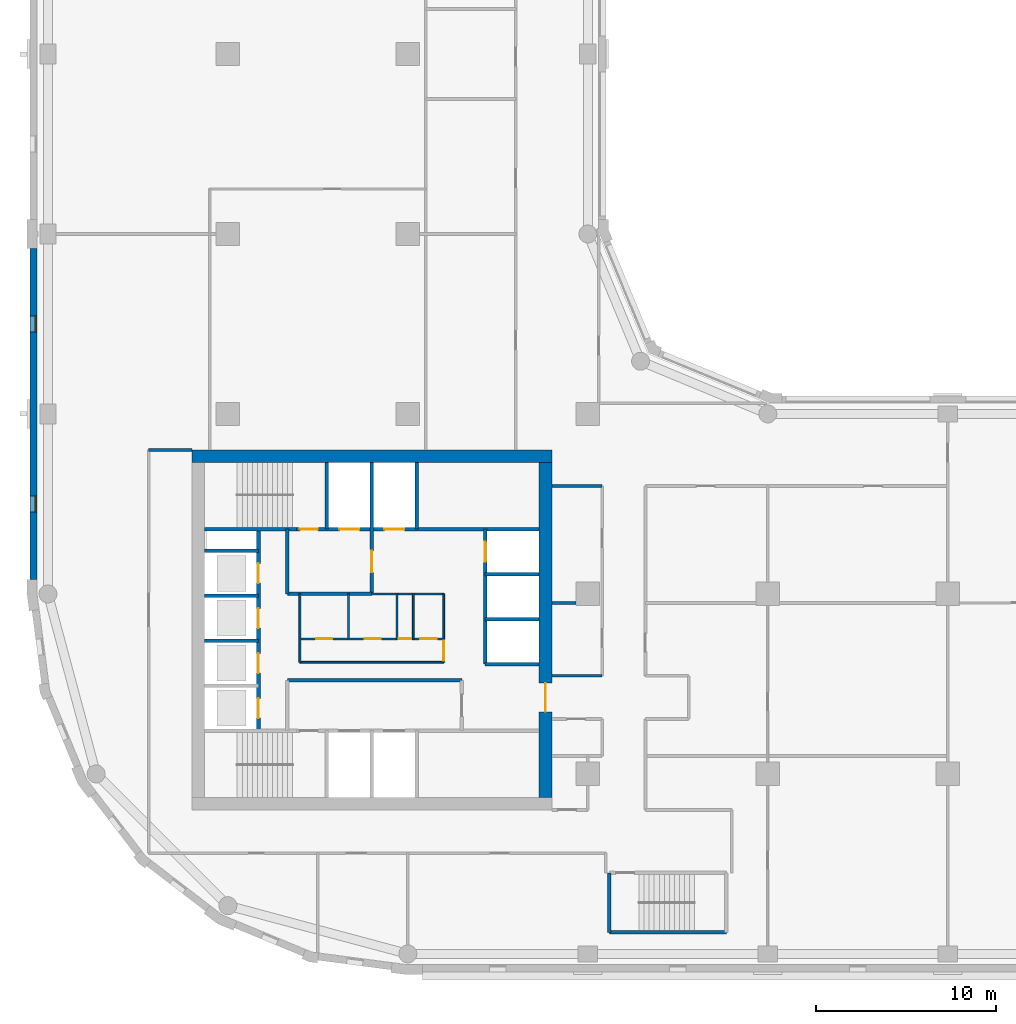
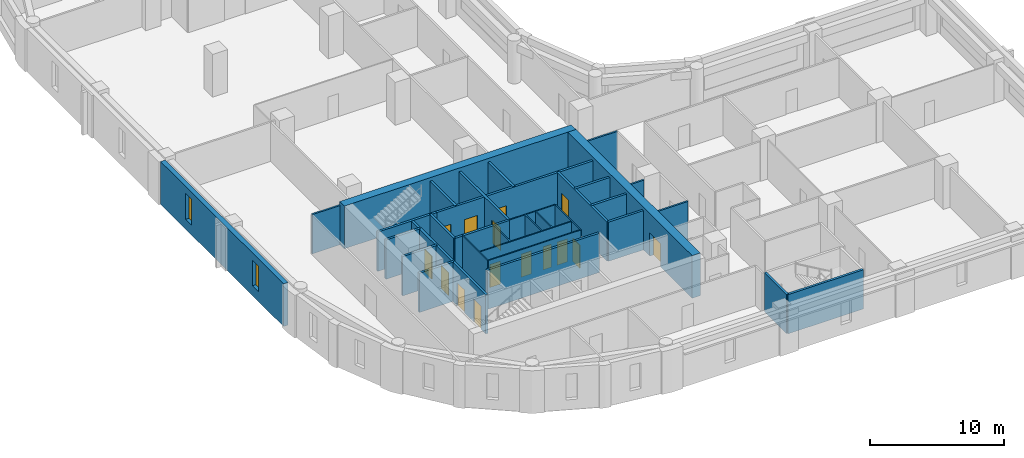
# One storey, part 3 of 9: 33 walls, 15 doors, 2 windows, 17 openings.
"""IFC4 building model written with IfcOpenShell, lengths in metres."""

from ifc_helpers import new_model, si_unit, direction, frame, frame_2d, origin, place, context, subcontext, project, spatial, rectangle, extrude, material, layer, layer_set, type_object, element, fill, save


model = new_model("IFC4")

# Units and contexts
model_context = context("Model", 3, precision=1e-05, world=origin(), true_north=direction((0.0, 1.0)))
body_context = subcontext(model_context, "Body", "Model", "MODEL_VIEW")
ifc_project = project(units=[si_unit("LENGTHUNIT", "METRE"), si_unit("AREAUNIT", "SQUARE_METRE"), si_unit("VOLUMEUNIT", "CUBIC_METRE"), si_unit("PLANEANGLEUNIT", "RADIAN"), si_unit("MASSUNIT", "GRAM", prefix="KILO")], contexts=[model_context])

# Site, building, storey
site_placement = place(None, origin())
site = spatial("IfcSite", under=ifc_project, at=site_placement, CompositionType="ELEMENT")
building_placement = place(site_placement, origin())
building = spatial("IfcBuilding", under=site, at=building_placement, Name="Qaws Garden Tower", CompositionType="ELEMENT")
storey_placement = place(building_placement, frame((0.0, 0.0, 159.0)))
storey = spatial("IfcBuildingStorey", under=building, at=storey_placement, Name="L38", CompositionType="ELEMENT", Elevation=159.0)

# Wall, openings, windows
ifc_material_1 = material(Name="Clay facing brick masonry", Category="masonry")
ifc_layer_1 = layer(ifc_material_1, 0.39990234375)
ifc_layer_set_1 = layer_set([ifc_layer_1], Name="Clay facing brick masonry")
wall_type_1 = type_object("IfcWallType", Name="Brick infill wall 400", PredefinedType="SOLIDWALL", material=ifc_layer_set_1)
wall_1_placement = place(storey_placement, frame((-0.800048828125, 39.199951171875, 0.0), z_axis=(0.0, 0.0, 1.0), x_axis=(0.0, -1.0, 0.0)))
wall_1 = element("IfcWall", 1, at=wall_1_placement, inside=storey, type_object=wall_type_1, Name="E-L38-infill-23", PredefinedType="SOLIDWALL", context=body_context, shape_type="SweptSolid", body=[
    extrude(rectangle(XDim=18.39990234375, YDim=0.39990234375, at=frame_2d((9.199951171875, 0.0))), origin(), (0.0, 0.0, 1.0), 3.89990234375),
])
opening_1_placement = place(wall_1_placement, frame((3.75, 0.0, 0.89990234375)))
opening_1 = element("IfcOpeningElement", 2, at=opening_1_placement, cuts=wall_1, Name="Opening W09", PredefinedType="OPENING", context=body_context, shape_type="SweptSolid", body=[
    extrude(rectangle(XDim=0.89990234375, YDim=2.35009765625, at=frame_2d((0.449951171875, 1.175048828125))), frame((0.0, 0.2099609375, 0.0), z_axis=(0.0, -1.0, 0.0), x_axis=(1.0, 0.0, 0.0)), (0.0, 0.0, 1.0), 0.419921875),
])
opening_2_placement = place(wall_1_placement, frame((13.75, 0.0, 0.89990234375)))
opening_2 = element("IfcOpeningElement", 3, at=opening_2_placement, cuts=wall_1, Name="Opening W09", PredefinedType="OPENING", context=body_context, shape_type="SweptSolid", body=[
    extrude(rectangle(XDim=0.89990234375, YDim=2.35009765625, at=frame_2d((0.449951171875, 1.175048828125))), frame((0.0, 0.2099609375, 0.0), z_axis=(0.0, -1.0, 0.0), x_axis=(1.0, 0.0, 0.0)), (0.0, 0.0, 1.0), 0.419921875),
])
ifc_material_2 = material(Name="Aluminium framed window, clear glazing", Category="aluminium")
window_type = type_object("IfcWindowType", Name="Slit window 900 x 2350", PartitioningType="SINGLE_PANEL", PredefinedType="WINDOW", material=ifc_material_2)
window_1_placement = place(opening_1_placement, origin())
window_1 = element("IfcWindow", 4, at=window_1_placement, inside=storey, type_object=window_type, Name="E-L38-window-23-0", OverallHeight=2.35009765625, OverallWidth=0.89990234375, PartitioningType="SINGLE_PANEL", PredefinedType="WINDOW", context=body_context, shape_type="SweptSolid", body=[
    extrude(rectangle(XDim=0.89990234375, YDim=2.35009765625, at=frame_2d((0.449951171875, 1.175048828125))), frame((0.0, 0.159912109375, 0.0), z_axis=(0.0, -1.0, 0.0), x_axis=(1.0, 0.0, 0.0)), (0.0, 0.0, 1.0), 0.06005859375),
])
fill(opening_1, window_1)
window_2_placement = place(opening_2_placement, origin())
window_2 = element("IfcWindow", 5, at=window_2_placement, inside=storey, type_object=window_type, Name="E-L38-window-24-0", OverallHeight=2.35009765625, OverallWidth=0.89990234375, PartitioningType="SINGLE_PANEL", PredefinedType="WINDOW", context=body_context, shape_type="SweptSolid", body=[
    extrude(rectangle(XDim=0.89990234375, YDim=2.35009765625, at=frame_2d((0.449951171875, 1.175048828125))), frame((0.0, 0.159912109375, 0.0), z_axis=(0.0, -1.0, 0.0), x_axis=(1.0, 0.0, 0.0)), (0.0, 0.0, 1.0), 0.06005859375),
])
fill(opening_2, window_2)

# Wall
ifc_material_3 = material(Name="Plasterboard")
ifc_layer_2 = layer(ifc_material_3, 0.10009765625)
ifc_layer_set_2 = layer_set([ifc_layer_2], Name="Plasterboard")
wall_type_2 = type_object("IfcWallType", Name="Core partition 100", PredefinedType="PARTITIONING", material=ifc_layer_set_2)
wall_2_placement = place(storey_placement, frame((14.0, 16.199951171875, 0.0), z_axis=(0.0, 0.0, 1.0), x_axis=(1.0, 0.0, 0.0)))
element("IfcWall", 6, at=wall_2_placement, inside=storey, type_object=wall_type_2, Name="Core partition", PredefinedType="PARTITIONING", context=body_context, shape_type="SweptSolid", body=[
    extrude(rectangle(XDim=8.0, YDim=0.10009765625, at=frame_2d((4.0, 0.0))), origin(), (0.0, 0.0, 1.0), 3.580078125),
])

# Wall, openings, doors
wall_3_placement = place(storey_placement, frame((14.0, 17.5, 0.0), z_axis=(0.0, 0.0, 1.0), x_axis=(1.0, 0.0, 0.0)))
wall_3 = element("IfcWall", 7, at=wall_3_placement, inside=storey, type_object=wall_type_2, Name="Core partition", PredefinedType="PARTITIONING", context=body_context, shape_type="SweptSolid", body=[
    extrude(rectangle(XDim=8.0, YDim=0.10009765625, at=frame_2d((4.0, 0.0))), origin(), (0.0, 0.0, 1.0), 3.580078125),
])
opening_3_placement = place(wall_3_placement, frame((0.89990234375, 0.0, 0.0)))
opening_3 = element("IfcOpeningElement", 8, at=opening_3_placement, cuts=wall_3, Name="Opening WD18", PredefinedType="OPENING", context=body_context, shape_type="SweptSolid", body=[
    extrude(rectangle(XDim=0.89990234375, YDim=2.10009765625, at=frame_2d((0.449951171875, 1.050048828125))), frame((0.0, 0.06005859375, 0.0), z_axis=(0.0, -1.0, 0.0), x_axis=(1.0, 0.0, 0.0)), (0.0, 0.0, 1.0), 0.1201171875),
])
opening_4_placement = place(wall_3_placement, frame((3.60009765625, 0.0, 0.0)))
opening_4 = element("IfcOpeningElement", 9, at=opening_4_placement, cuts=wall_3, Name="Opening WD19", PredefinedType="OPENING", context=body_context, shape_type="SweptSolid", body=[
    extrude(rectangle(XDim=0.89990234375, YDim=2.10009765625, at=frame_2d((0.449951171875, 1.050048828125))), frame((0.0, 0.06005859375, 0.0), z_axis=(0.0, -1.0, 0.0), x_axis=(1.0, 0.0, 0.0)), (0.0, 0.0, 1.0), 0.1201171875),
])
opening_5_placement = place(wall_3_placement, frame((5.5, 0.0, 0.0)))
opening_5 = element("IfcOpeningElement", 10, at=opening_5_placement, cuts=wall_3, Name="Opening XD20", PredefinedType="OPENING", context=body_context, shape_type="SweptSolid", body=[
    extrude(rectangle(XDim=0.699951171875, YDim=2.10009765625, at=frame_2d((0.35009765625, 1.050048828125))), frame((0.0, 0.06005859375, 0.0), z_axis=(0.0, -1.0, 0.0), x_axis=(1.0, 0.0, 0.0)), (0.0, 0.0, 1.0), 0.1201171875),
])
opening_6_placement = place(wall_3_placement, frame((6.699951171875, 0.0, 0.0)))
opening_6 = element("IfcOpeningElement", 11, at=opening_6_placement, cuts=wall_3, Name="Opening WD21", PredefinedType="OPENING", context=body_context, shape_type="SweptSolid", body=[
    extrude(rectangle(XDim=0.89990234375, YDim=2.10009765625, at=frame_2d((0.449951171875, 1.050048828125))), frame((0.0, 0.06005859375, 0.0), z_axis=(0.0, -1.0, 0.0), x_axis=(1.0, 0.0, 0.0)), (0.0, 0.0, 1.0), 0.1201171875),
])
ifc_material_4 = material(Name="Timber", Category="wood")
door_type_1 = type_object("IfcDoorType", Name="Store door 700x2100", OperationType="SINGLE_SWING_LEFT", PredefinedType="DOOR", material=ifc_material_4)
door_1_placement = place(opening_5_placement, origin())
door_1 = element("IfcDoor", 12, at=door_1_placement, inside=storey, type_object=door_type_1, Name="Cleaner's store door", OperationType="SINGLE_SWING_RIGHT", OverallHeight=2.10009765625, OverallWidth=0.699951171875, PredefinedType="DOOR", context=body_context, shape_type="SweptSolid", body=[
    extrude(rectangle(XDim=0.699951171875, YDim=2.10009765625, at=frame_2d((0.35009765625, 1.050048828125))), frame((0.0, 0.02490234375, 0.0), z_axis=(0.0, -1.0, 0.0), x_axis=(1.0, 0.0, 0.0)), (0.0, 0.0, 1.0), 0.050048828125),
])
fill(opening_5, door_1)
ifc_material_5 = material(Name="Timber", Category="wood")
door_type_2 = type_object("IfcDoorType", Name="WC door 900x2100", OperationType="SINGLE_SWING_LEFT", PredefinedType="DOOR", material=ifc_material_5)
door_2_placement = place(opening_3_placement, origin())
door_2 = element("IfcDoor", 13, at=door_2_placement, inside=storey, type_object=door_type_2, Name="Women's WC door", OperationType="SINGLE_SWING_RIGHT", OverallHeight=2.10009765625, OverallWidth=0.89990234375, PredefinedType="DOOR", context=body_context, shape_type="SweptSolid", body=[
    extrude(rectangle(XDim=0.89990234375, YDim=2.10009765625, at=frame_2d((0.449951171875, 1.050048828125))), frame((0.0, 0.02490234375, 0.0), z_axis=(0.0, -1.0, 0.0), x_axis=(1.0, 0.0, 0.0)), (0.0, 0.0, 1.0), 0.050048828125),
])
fill(opening_3, door_2)
door_3_placement = place(opening_4_placement, origin())
door_3 = element("IfcDoor", 14, at=door_3_placement, inside=storey, type_object=door_type_2, Name="Men's WC door", OperationType="SINGLE_SWING_RIGHT", OverallHeight=2.10009765625, OverallWidth=0.89990234375, PredefinedType="DOOR", context=body_context, shape_type="SweptSolid", body=[
    extrude(rectangle(XDim=0.89990234375, YDim=2.10009765625, at=frame_2d((0.449951171875, 1.050048828125))), frame((0.0, 0.02490234375, 0.0), z_axis=(0.0, -1.0, 0.0), x_axis=(1.0, 0.0, 0.0)), (0.0, 0.0, 1.0), 0.050048828125),
])
fill(opening_4, door_3)
door_4_placement = place(opening_6_placement, origin())
door_4 = element("IfcDoor", 15, at=door_4_placement, inside=storey, type_object=door_type_2, Name="Accessible WC door", OperationType="SINGLE_SWING_RIGHT", OverallHeight=2.10009765625, OverallWidth=0.89990234375, PredefinedType="DOOR", context=body_context, shape_type="SweptSolid", body=[
    extrude(rectangle(XDim=0.89990234375, YDim=2.10009765625, at=frame_2d((0.449951171875, 1.050048828125))), frame((0.0, 0.02490234375, 0.0), z_axis=(0.0, -1.0, 0.0), x_axis=(1.0, 0.0, 0.0)), (0.0, 0.0, 1.0), 0.050048828125),
])
fill(opening_6, door_4)

# Walls
wall_4_placement = place(storey_placement, frame((18.0, 20.0, 0.0), z_axis=(0.0, 0.0, 1.0), x_axis=(1.0, 0.0, 0.0)))
element("IfcWall", 16, at=wall_4_placement, inside=storey, type_object=wall_type_2, Name="Core partition", PredefinedType="PARTITIONING", context=body_context, shape_type="SweptSolid", body=[
    extrude(rectangle(XDim=4.0, YDim=0.10009765625, at=frame_2d((2.0, 0.0))), origin(), (0.0, 0.0, 1.0), 3.580078125),
])
wall_5_placement = place(storey_placement, frame((14.0, 16.199951171875, 0.0), z_axis=(0.0, 0.0, 1.0), x_axis=(0.0, 1.0, 0.0)))
element("IfcWall", 17, at=wall_5_placement, inside=storey, type_object=wall_type_2, Name="Core partition", PredefinedType="PARTITIONING", context=body_context, shape_type="SweptSolid", body=[
    extrude(rectangle(XDim=3.800048828125, YDim=0.10009765625, at=frame_2d((1.89990234375, 0.0))), origin(), (0.0, 0.0, 1.0), 3.580078125),
])
for number, where, z_axis, x_axis, name in (
    (18, (16.699951171875, 17.5, 0.0), (0.0, 0.0, 1.0), (0.0, 1.0, 0.0), "Core partition"),
    (19, (19.39990234375, 17.5, 0.0), (0.0, 0.0, 1.0), (0.0, 1.0, 0.0), "Core partition"),
    (20, (20.300048828125, 17.5, 0.0), (0.0, 0.0, 1.0), (0.0, 1.0, 0.0), "Core partition"),
):
    element("IfcWall", number, at=place(storey_placement, frame(where, z_axis=z_axis, x_axis=x_axis)), inside=storey, type_object=wall_type_2, Name=name, PredefinedType="PARTITIONING", context=body_context, shape_type="SweptSolid", body=[
        extrude(rectangle(XDim=2.5, YDim=0.10009765625, at=frame_2d((1.25, 0.0))), origin(), (0.0, 0.0, 1.0), 3.580078125),
    ])

# Wall, opening, door
wall_6_placement = place(storey_placement, frame((22.0, 16.199951171875, 0.0), z_axis=(0.0, 0.0, 1.0), x_axis=(0.0, 1.0, 0.0)))
wall_6 = element("IfcWall", 21, at=wall_6_placement, inside=storey, type_object=wall_type_2, Name="Core partition", PredefinedType="PARTITIONING", context=body_context, shape_type="SweptSolid", body=[
    extrude(rectangle(XDim=3.800048828125, YDim=0.10009765625, at=frame_2d((1.89990234375, 0.0))), origin(), (0.0, 0.0, 1.0), 3.580078125),
])
opening_7_placement = place(wall_6_placement, frame((0.10009765625, 0.0, 0.0)))
opening_7 = element("IfcOpeningElement", 22, at=opening_7_placement, cuts=wall_6, Name="Opening WL17", PredefinedType="OPENING", context=body_context, shape_type="SweptSolid", body=[
    extrude(rectangle(XDim=1.10009765625, YDim=2.10009765625, at=frame_2d((0.550048828125, 1.050048828125))), frame((0.0, 0.06005859375, 0.0), z_axis=(0.0, -1.0, 0.0), x_axis=(1.0, 0.0, 0.0)), (0.0, 0.0, 1.0), 0.1201171875),
])
ifc_material_6 = material(Name="Timber", Category="wood")
door_type_3 = type_object("IfcDoorType", Name="WC lobby door 1100x2100", OperationType="SINGLE_SWING_LEFT", PredefinedType="DOOR", material=ifc_material_6)
door_5_placement = place(opening_7_placement, origin())
door_5 = element("IfcDoor", 23, at=door_5_placement, inside=storey, type_object=door_type_3, Name="WC lobby door", OperationType="SINGLE_SWING_RIGHT", OverallHeight=2.10009765625, OverallWidth=1.10009765625, PredefinedType="DOOR", context=body_context, shape_type="SweptSolid", body=[
    extrude(rectangle(XDim=1.10009765625, YDim=2.10009765625, at=frame_2d((0.550048828125, 1.050048828125))), frame((0.0, 0.02490234375, 0.0), z_axis=(0.0, -1.0, 0.0), x_axis=(1.0, 0.0, 0.0)), (0.0, 0.0, 1.0), 0.050048828125),
])
fill(opening_7, door_5)

# Walls
ifc_material_7 = material(Name="Concrete C70", Category="concrete")
ifc_layer_3 = layer(ifc_material_7, 0.199951171875)
ifc_layer_set_3 = layer_set([ifc_layer_3], Name="Concrete C70")
wall_type_3 = type_object("IfcWallType", Name="Core shaft wall 200 C70", PredefinedType="SHEAR", material=ifc_layer_set_3)
wall_7_placement = place(storey_placement, frame((31.199951171875, 1.199951171875, 0.0), z_axis=(0.0, 0.0, 1.0), x_axis=(1.0, 0.0, 0.0)))
element("IfcWall", 24, at=wall_7_placement, inside=storey, type_object=wall_type_3, Name="Shaft wall", PredefinedType="SHEAR", context=body_context, shape_type="SweptSolid", body=[
    extrude(rectangle(XDim=6.5, YDim=0.199951171875, at=frame_2d((3.25, 0.0))), origin(), (0.0, 0.0, 1.0), 3.580078125),
])
wall_8_placement = place(storey_placement, frame((13.300048828125, 15.199951171875, 0.0), z_axis=(0.0, 0.0, 1.0), x_axis=(1.0, 0.0, 0.0)))
element("IfcWall", 25, at=wall_8_placement, inside=storey, type_object=wall_type_3, Name="Shaft wall", PredefinedType="SHEAR", context=body_context, shape_type="SweptSolid", body=[
    extrude(rectangle(XDim=9.699951171875, YDim=0.199951171875, at=frame_2d((4.85009765625, 0.0))), origin(), (0.0, 0.0, 1.0), 3.580078125),
])
for number, where, z_axis, x_axis, name in (
    (26, (24.300048828125, 16.10009765625, 0.0), (0.0, 0.0, 1.0), (1.0, 0.0, 0.0), "Shaft wall"),
    (27, (8.699951171875, 17.39990234375, 0.0), (0.0, 0.0, 1.0), (1.0, 0.0, 0.0), "Shaft wall"),
    (28, (24.300048828125, 18.60009765625, 0.0), (0.0, 0.0, 1.0), (1.0, 0.0, 0.0), "Shaft wall"),
    (29, (8.699951171875, 19.89990234375, 0.0), (0.0, 0.0, 1.0), (1.0, 0.0, 0.0), "Shaft wall"),
):
    element("IfcWall", number, at=place(storey_placement, frame(where, z_axis=z_axis, x_axis=x_axis)), inside=storey, type_object=wall_type_3, Name=name, PredefinedType="SHEAR", context=body_context, shape_type="SweptSolid", body=[
        extrude(rectangle(XDim=3.0, YDim=0.199951171875, at=frame_2d((1.5, 0.0))), origin(), (0.0, 0.0, 1.0), 3.580078125),
    ])
wall_9_placement = place(storey_placement, frame((13.300048828125, 20.0, 0.0), z_axis=(0.0, 0.0, 1.0), x_axis=(1.0, 0.0, 0.0)))
element("IfcWall", 30, at=wall_9_placement, inside=storey, type_object=wall_type_3, Name="Shaft wall", PredefinedType="SHEAR", context=body_context, shape_type="SweptSolid", body=[
    extrude(rectangle(XDim=4.699951171875, YDim=0.199951171875, at=frame_2d((2.35009765625, 0.0))), origin(), (0.0, 0.0, 1.0), 3.580078125),
])
for number, where, z_axis, x_axis, name in (
    (31, (24.300048828125, 21.10009765625, 0.0), (0.0, 0.0, 1.0), (1.0, 0.0, 0.0), "Shaft wall"),
    (32, (8.699951171875, 22.39990234375, 0.0), (0.0, 0.0, 1.0), (1.0, 0.0, 0.0), "Shaft wall"),
):
    element("IfcWall", number, at=place(storey_placement, frame(where, z_axis=z_axis, x_axis=x_axis)), inside=storey, type_object=wall_type_3, Name=name, PredefinedType="SHEAR", context=body_context, shape_type="SweptSolid", body=[
        extrude(rectangle(XDim=3.0, YDim=0.199951171875, at=frame_2d((1.5, 0.0))), origin(), (0.0, 0.0, 1.0), 3.580078125),
    ])
wall_10_placement = place(storey_placement, frame((8.699951171875, 23.60009765625, 0.0), z_axis=(0.0, 0.0, 1.0), x_axis=(1.0, 0.0, 0.0)))
element("IfcWall", 33, at=wall_10_placement, inside=storey, type_object=wall_type_3, Name="Shaft wall", PredefinedType="SHEAR", context=body_context, shape_type="SweptSolid", body=[
    extrude(rectangle(XDim=5.10009765625, YDim=0.199951171875, at=frame_2d((2.550048828125, 0.0))), origin(), (0.0, 0.0, 1.0), 3.580078125),
])

# Wall, openings, doors
wall_11_placement = place(storey_placement, frame((13.800048828125, 23.60009765625, 0.0), z_axis=(0.0, 0.0, 1.0), x_axis=(1.0, 0.0, 0.0)))
wall_11 = element("IfcWall", 34, at=wall_11_placement, inside=storey, type_object=wall_type_3, Name="Shaft wall", PredefinedType="SHEAR", context=body_context, shape_type="SweptSolid", body=[
    extrude(rectangle(XDim=13.5, YDim=0.199951171875, at=frame_2d((6.75, 0.0))), origin(), (0.0, 0.0, 1.0), 3.580078125),
])
opening_8_placement = place(wall_11_placement, frame((2.39990234375, 0.0, 0.0)))
opening_8 = element("IfcOpeningElement", 35, at=opening_8_placement, cuts=wall_11, Name="Opening LD08", PredefinedType="OPENING", context=body_context, shape_type="SweptSolid", body=[
    extrude(rectangle(XDim=1.10009765625, YDim=2.10009765625, at=frame_2d((0.550048828125, 1.050048828125))), frame((0.0, 0.10986328125, 0.0), z_axis=(0.0, -1.0, 0.0), x_axis=(1.0, 0.0, 0.0)), (0.0, 0.0, 1.0), 0.219970703125),
])
opening_9_placement = place(wall_11_placement, frame((4.89990234375, 0.0, 0.0)))
opening_9 = element("IfcOpeningElement", 36, at=opening_9_placement, cuts=wall_11, Name="Opening LD09", PredefinedType="OPENING", context=body_context, shape_type="SweptSolid", body=[
    extrude(rectangle(XDim=1.10009765625, YDim=2.10009765625, at=frame_2d((0.550048828125, 1.050048828125))), frame((0.0, 0.10986328125, 0.0), z_axis=(0.0, -1.0, 0.0), x_axis=(1.0, 0.0, 0.0)), (0.0, 0.0, 1.0), 0.219970703125),
])
opening_10_placement = place(wall_11_placement, frame((0.199951171875, 0.0, 0.0)))
opening_10 = element("IfcOpeningElement", 37, at=opening_10_placement, cuts=wall_11, Name="Opening SD11", PredefinedType="OPENING", context=body_context, shape_type="SweptSolid", body=[
    extrude(rectangle(XDim=1.0, YDim=2.10009765625, at=frame_2d((0.5, 1.050048828125))), frame((0.0, 0.10986328125, 0.0), z_axis=(0.0, -1.0, 0.0), x_axis=(1.0, 0.0, 0.0)), (0.0, 0.0, 1.0), 0.219970703125),
])
ifc_material_8 = material(Name="Steel S235", Category="steel")
door_type_4 = type_object("IfcDoorType", Name="Landing door 1100x2100", OperationType="DOUBLE_DOOR_SLIDING", PredefinedType="DOOR", material=ifc_material_8)
door_6_placement = place(opening_8_placement, origin())
door_6 = element("IfcDoor", 38, at=door_6_placement, inside=storey, type_object=door_type_4, Name="Lift FF3 landing door", OperationType="DOUBLE_DOOR_SLIDING", OverallHeight=2.10009765625, OverallWidth=1.10009765625, PredefinedType="DOOR", context=body_context, shape_type="SweptSolid", body=[
    extrude(rectangle(XDim=1.10009765625, YDim=2.10009765625, at=frame_2d((0.550048828125, 1.050048828125))), frame((0.0, 0.02490234375, 0.0), z_axis=(0.0, -1.0, 0.0), x_axis=(1.0, 0.0, 0.0)), (0.0, 0.0, 1.0), 0.050048828125),
])
fill(opening_8, door_6)
door_7_placement = place(opening_9_placement, origin())
door_7 = element("IfcDoor", 39, at=door_7_placement, inside=storey, type_object=door_type_4, Name="Lift SV2 landing door", OperationType="DOUBLE_DOOR_SLIDING", OverallHeight=2.10009765625, OverallWidth=1.10009765625, PredefinedType="DOOR", context=body_context, shape_type="SweptSolid", body=[
    extrude(rectangle(XDim=1.10009765625, YDim=2.10009765625, at=frame_2d((0.550048828125, 1.050048828125))), frame((0.0, 0.02490234375, 0.0), z_axis=(0.0, -1.0, 0.0), x_axis=(1.0, 0.0, 0.0)), (0.0, 0.0, 1.0), 0.050048828125),
])
fill(opening_9, door_7)
ifc_material_9 = material(Name="Steel S235", Category="steel")
door_type_5 = type_object("IfcDoorType", Name="Stair door 1000x2100", OperationType="SINGLE_SWING_RIGHT", PredefinedType="DOOR", material=ifc_material_9)
door_8_placement = place(opening_10_placement, origin())
door_8 = element("IfcDoor", 40, at=door_8_placement, inside=storey, type_object=door_type_5, Name="Stair 4 door", OperationType="SINGLE_SWING_RIGHT", OverallHeight=2.10009765625, OverallWidth=1.0, PredefinedType="DOOR", context=body_context, shape_type="SweptSolid", body=[
    extrude(rectangle(XDim=1.0, YDim=2.10009765625, at=frame_2d((0.5, 1.050048828125))), frame((0.0, 0.02490234375, 0.0), z_axis=(0.0, -1.0, 0.0), x_axis=(1.0, 0.0, 0.0)), (0.0, 0.0, 1.0), 0.050048828125),
])
fill(opening_10, door_8)

wall_12_placement = place(storey_placement, frame((11.699951171875, 12.39990234375, 0.0), z_axis=(0.0, 0.0, 1.0), x_axis=(0.0, 1.0, 0.0)))
wall_12 = element("IfcWall", 41, at=wall_12_placement, inside=storey, type_object=wall_type_3, Name="Shaft wall", PredefinedType="SHEAR", context=body_context, shape_type="SweptSolid", body=[
    extrude(rectangle(XDim=11.2001953125, YDim=0.199951171875, at=frame_2d((5.60009765625, 0.0))), origin(), (0.0, 0.0, 1.0), 3.580078125),
])
opening_11_placement = place(wall_12_placement, frame((0.699951171875, 0.0, 0.0)))
opening_11 = element("IfcOpeningElement", 42, at=opening_11_placement, cuts=wall_12, Name="Opening LD01", PredefinedType="OPENING", context=body_context, shape_type="SweptSolid", body=[
    extrude(rectangle(XDim=1.10009765625, YDim=2.10009765625, at=frame_2d((0.550048828125, 1.050048828125))), frame((0.0, 0.10986328125, 0.0), z_axis=(0.0, -1.0, 0.0), x_axis=(1.0, 0.0, 0.0)), (0.0, 0.0, 1.0), 0.219970703125),
])
opening_12_placement = place(wall_12_placement, frame((3.199951171875, 0.0, 0.0)))
opening_12 = element("IfcOpeningElement", 43, at=opening_12_placement, cuts=wall_12, Name="Opening LD02", PredefinedType="OPENING", context=body_context, shape_type="SweptSolid", body=[
    extrude(rectangle(XDim=1.10009765625, YDim=2.10009765625, at=frame_2d((0.550048828125, 1.050048828125))), frame((0.0, 0.10986328125, 0.0), z_axis=(0.0, -1.0, 0.0), x_axis=(1.0, 0.0, 0.0)), (0.0, 0.0, 1.0), 0.219970703125),
])
opening_13_placement = place(wall_12_placement, frame((5.699951171875, 0.0, 0.0)))
opening_13 = element("IfcOpeningElement", 44, at=opening_13_placement, cuts=wall_12, Name="Opening LD03", PredefinedType="OPENING", context=body_context, shape_type="SweptSolid", body=[
    extrude(rectangle(XDim=1.10009765625, YDim=2.10009765625, at=frame_2d((0.550048828125, 1.050048828125))), frame((0.0, 0.10986328125, 0.0), z_axis=(0.0, -1.0, 0.0), x_axis=(1.0, 0.0, 0.0)), (0.0, 0.0, 1.0), 0.219970703125),
])
opening_14_placement = place(wall_12_placement, frame((8.199951171875, 0.0, 0.0)))
opening_14 = element("IfcOpeningElement", 45, at=opening_14_placement, cuts=wall_12, Name="Opening LD04", PredefinedType="OPENING", context=body_context, shape_type="SweptSolid", body=[
    extrude(rectangle(XDim=1.10009765625, YDim=2.10009765625, at=frame_2d((0.550048828125, 1.050048828125))), frame((0.0, 0.10986328125, 0.0), z_axis=(0.0, -1.0, 0.0), x_axis=(1.0, 0.0, 0.0)), (0.0, 0.0, 1.0), 0.219970703125),
])
door_9_placement = place(opening_11_placement, origin())
door_9 = element("IfcDoor", 46, at=door_9_placement, inside=storey, type_object=door_type_4, Name="Lift W1 landing door", OperationType="DOUBLE_DOOR_SLIDING", OverallHeight=2.10009765625, OverallWidth=1.10009765625, PredefinedType="DOOR", context=body_context, shape_type="SweptSolid", body=[
    extrude(rectangle(XDim=1.10009765625, YDim=2.10009765625, at=frame_2d((0.550048828125, 1.050048828125))), frame((0.0, 0.02490234375, 0.0), z_axis=(0.0, -1.0, 0.0), x_axis=(1.0, 0.0, 0.0)), (0.0, 0.0, 1.0), 0.050048828125),
])
fill(opening_11, door_9)
door_10_placement = place(opening_12_placement, origin())
door_10 = element("IfcDoor", 47, at=door_10_placement, inside=storey, type_object=door_type_4, Name="Lift W2 landing door", OperationType="DOUBLE_DOOR_SLIDING", OverallHeight=2.10009765625, OverallWidth=1.10009765625, PredefinedType="DOOR", context=body_context, shape_type="SweptSolid", body=[
    extrude(rectangle(XDim=1.10009765625, YDim=2.10009765625, at=frame_2d((0.550048828125, 1.050048828125))), frame((0.0, 0.02490234375, 0.0), z_axis=(0.0, -1.0, 0.0), x_axis=(1.0, 0.0, 0.0)), (0.0, 0.0, 1.0), 0.050048828125),
])
fill(opening_12, door_10)
door_11_placement = place(opening_13_placement, origin())
door_11 = element("IfcDoor", 48, at=door_11_placement, inside=storey, type_object=door_type_4, Name="Lift W3 landing door", OperationType="DOUBLE_DOOR_SLIDING", OverallHeight=2.10009765625, OverallWidth=1.10009765625, PredefinedType="DOOR", context=body_context, shape_type="SweptSolid", body=[
    extrude(rectangle(XDim=1.10009765625, YDim=2.10009765625, at=frame_2d((0.550048828125, 1.050048828125))), frame((0.0, 0.02490234375, 0.0), z_axis=(0.0, -1.0, 0.0), x_axis=(1.0, 0.0, 0.0)), (0.0, 0.0, 1.0), 0.050048828125),
])
fill(opening_13, door_11)
door_12_placement = place(opening_14_placement, origin())
door_12 = element("IfcDoor", 49, at=door_12_placement, inside=storey, type_object=door_type_4, Name="Lift W4 landing door", OperationType="DOUBLE_DOOR_SLIDING", OverallHeight=2.10009765625, OverallWidth=1.10009765625, PredefinedType="DOOR", context=body_context, shape_type="SweptSolid", body=[
    extrude(rectangle(XDim=1.10009765625, YDim=2.10009765625, at=frame_2d((0.550048828125, 1.050048828125))), frame((0.0, 0.02490234375, 0.0), z_axis=(0.0, -1.0, 0.0), x_axis=(1.0, 0.0, 0.0)), (0.0, 0.0, 1.0), 0.050048828125),
])
fill(opening_14, door_12)

# Walls
wall_13_placement = place(storey_placement, frame((13.300048828125, 20.0, 0.0), z_axis=(0.0, 0.0, 1.0), x_axis=(0.0, 1.0, 0.0)))
element("IfcWall", 50, at=wall_13_placement, inside=storey, type_object=wall_type_3, Name="Shaft wall", PredefinedType="SHEAR", context=body_context, shape_type="SweptSolid", body=[
    extrude(rectangle(XDim=3.60009765625, YDim=0.199951171875, at=frame_2d((1.800048828125, 0.0))), origin(), (0.0, 0.0, 1.0), 3.580078125),
])
wall_14_placement = place(storey_placement, frame((15.5, 23.60009765625, 0.0), z_axis=(0.0, 0.0, 1.0), x_axis=(0.0, 1.0, 0.0)))
element("IfcWall", 51, at=wall_14_placement, inside=storey, type_object=wall_type_3, Name="Shaft wall", PredefinedType="SHEAR", context=body_context, shape_type="SweptSolid", body=[
    extrude(rectangle(XDim=3.699951171875, YDim=0.199951171875, at=frame_2d((1.85009765625, 0.0))), origin(), (0.0, 0.0, 1.0), 3.580078125),
])

# Wall, opening, door
wall_15_placement = place(storey_placement, frame((18.0, 20.0, 0.0), z_axis=(0.0, 0.0, 1.0), x_axis=(0.0, 1.0, 0.0)))
wall_15 = element("IfcWall", 52, at=wall_15_placement, inside=storey, type_object=wall_type_3, Name="Shaft wall", PredefinedType="SHEAR", context=body_context, shape_type="SweptSolid", body=[
    extrude(rectangle(XDim=7.300048828125, YDim=0.199951171875, at=frame_2d((3.64990234375, 0.0))), origin(), (0.0, 0.0, 1.0), 3.580078125),
])
opening_15_placement = place(wall_15_placement, frame((1.199951171875, 0.0, 0.0)))
opening_15 = element("IfcOpeningElement", 53, at=opening_15_placement, cuts=wall_15, Name="Opening FD16", PredefinedType="OPENING", context=body_context, shape_type="SweptSolid", body=[
    extrude(rectangle(XDim=1.199951171875, YDim=2.10009765625, at=frame_2d((0.60009765625, 1.050048828125))), frame((0.0, 0.10986328125, 0.0), z_axis=(0.0, -1.0, 0.0), x_axis=(1.0, 0.0, 0.0)), (0.0, 0.0, 1.0), 0.219970703125),
])
ifc_material_10 = material(Name="Steel S235", Category="steel")
door_type_6 = type_object("IfcDoorType", Name="Lobby door 1200x2100", OperationType="DOUBLE_DOOR_SINGLE_SWING", PredefinedType="DOOR", material=ifc_material_10)
door_13_placement = place(opening_15_placement, origin())
door_13 = element("IfcDoor", 54, at=door_13_placement, inside=storey, type_object=door_type_6, Name="Fire-fighting lobby door", OperationType="DOUBLE_DOOR_SINGLE_SWING", OverallHeight=2.10009765625, OverallWidth=1.199951171875, PredefinedType="DOOR", context=body_context, shape_type="SweptSolid", body=[
    extrude(rectangle(XDim=1.199951171875, YDim=2.10009765625, at=frame_2d((0.60009765625, 1.050048828125))), frame((0.0, 0.02490234375, 0.0), z_axis=(0.0, -1.0, 0.0), x_axis=(1.0, 0.0, 0.0)), (0.0, 0.0, 1.0), 0.050048828125),
])
fill(opening_15, door_13)

# Wall
wall_16_placement = place(storey_placement, frame((20.5, 23.60009765625, 0.0), z_axis=(0.0, 0.0, 1.0), x_axis=(0.0, 1.0, 0.0)))
element("IfcWall", 55, at=wall_16_placement, inside=storey, type_object=wall_type_3, Name="Shaft wall", PredefinedType="SHEAR", context=body_context, shape_type="SweptSolid", body=[
    extrude(rectangle(XDim=3.699951171875, YDim=0.199951171875, at=frame_2d((1.85009765625, 0.0))), origin(), (0.0, 0.0, 1.0), 3.580078125),
])

# Wall, opening, door
wall_17_placement = place(storey_placement, frame((24.300048828125, 16.10009765625, 0.0), z_axis=(0.0, 0.0, 1.0), x_axis=(0.0, 1.0, 0.0)))
wall_17 = element("IfcWall", 56, at=wall_17_placement, inside=storey, type_object=wall_type_3, Name="Shaft wall", PredefinedType="SHEAR", context=body_context, shape_type="SweptSolid", body=[
    extrude(rectangle(XDim=7.5, YDim=0.199951171875, at=frame_2d((3.75, 0.0))), origin(), (0.0, 0.0, 1.0), 3.580078125),
])
opening_16_placement = place(wall_17_placement, frame((5.699951171875, 0.0, 0.0)))
opening_16 = element("IfcOpeningElement", 57, at=opening_16_placement, cuts=wall_17, Name="Opening LD05", PredefinedType="OPENING", context=body_context, shape_type="SweptSolid", body=[
    extrude(rectangle(XDim=1.10009765625, YDim=2.10009765625, at=frame_2d((0.550048828125, 1.050048828125))), frame((0.0, 0.10986328125, 0.0), z_axis=(0.0, -1.0, 0.0), x_axis=(1.0, 0.0, 0.0)), (0.0, 0.0, 1.0), 0.219970703125),
])
door_14_placement = place(opening_16_placement, origin())
door_14 = element("IfcDoor", 58, at=door_14_placement, inside=storey, type_object=door_type_4, Name="Lift E3 landing door", OperationType="DOUBLE_DOOR_SLIDING", OverallHeight=2.10009765625, OverallWidth=1.10009765625, PredefinedType="DOOR", context=body_context, shape_type="SweptSolid", body=[
    extrude(rectangle(XDim=1.10009765625, YDim=2.10009765625, at=frame_2d((0.550048828125, 1.050048828125))), frame((0.0, 0.02490234375, 0.0), z_axis=(0.0, -1.0, 0.0), x_axis=(1.0, 0.0, 0.0)), (0.0, 0.0, 1.0), 0.050048828125),
])
fill(opening_16, door_14)

# Wall
wall_18_placement = place(storey_placement, frame((31.199951171875, 1.199951171875, 0.0), z_axis=(0.0, 0.0, 1.0), x_axis=(0.0, 1.0, 0.0)))
element("IfcWall", 59, at=wall_18_placement, inside=storey, type_object=wall_type_3, Name="Shaft wall", PredefinedType="SHEAR", context=body_context, shape_type="SweptSolid", body=[
    extrude(rectangle(XDim=3.300048828125, YDim=0.199951171875, at=frame_2d((1.64990234375, 0.0))), origin(), (0.0, 0.0, 1.0), 3.580078125),
])

# Wall, opening, door
ifc_material_11 = material(Name="Concrete C70", Category="concrete")
ifc_layer_4 = layer(ifc_material_11, 0.699951171875)
ifc_layer_set_4 = layer_set([ifc_layer_4], Name="Concrete C70")
wall_type_4 = type_object("IfcWallType", Name="Core wall 700 C70", PredefinedType="SHEAR", material=ifc_layer_set_4)
wall_19_placement = place(storey_placement, frame((27.64990234375, 8.699951171875, 0.0), z_axis=(0.0, 0.0, 1.0), x_axis=(0.0, 1.0, 0.0)))
wall_19 = element("IfcWall", 60, at=wall_19_placement, inside=storey, type_object=wall_type_4, Name="Core wall L38 east", PredefinedType="SHEAR", context=body_context, shape_type="SweptSolid", body=[
    extrude(rectangle(XDim=18.60009765625, YDim=0.699951171875, at=frame_2d((9.300048828125, 0.0))), origin(), (0.0, 0.0, 1.0), 3.89990234375),
])
opening_17_placement = place(wall_19_placement, frame((4.75, 0.0, 0.0)))
opening_17 = element("IfcOpeningElement", 61, at=opening_17_placement, cuts=wall_19, Name="Opening ED22", PredefinedType="OPENING", context=body_context, shape_type="SweptSolid", body=[
    extrude(rectangle(XDim=1.60009765625, YDim=2.10009765625, at=frame_2d((0.800048828125, 1.050048828125))), frame((0.0, 0.35986328125, 0.0), z_axis=(0.0, -1.0, 0.0), x_axis=(1.0, 0.0, 0.0)), (0.0, 0.0, 1.0), 0.719970703125),
])
ifc_material_12 = material(Name="Steel S235", Category="steel")
door_type_7 = type_object("IfcDoorType", Name="Core entrance door 1600x2100", OperationType="DOUBLE_DOOR_SINGLE_SWING", PredefinedType="DOOR", material=ifc_material_12)
door_15_placement = place(opening_17_placement, origin())
door_15 = element("IfcDoor", 62, at=door_15_placement, inside=storey, type_object=door_type_7, Name="Core entrance door", OperationType="DOUBLE_DOOR_SINGLE_SWING", OverallHeight=2.10009765625, OverallWidth=1.60009765625, PredefinedType="DOOR", context=body_context, shape_type="SweptSolid", body=[
    extrude(rectangle(XDim=1.60009765625, YDim=2.10009765625, at=frame_2d((0.800048828125, 1.050048828125))), frame((0.0, 0.02490234375, 0.0), z_axis=(0.0, -1.0, 0.0), x_axis=(1.0, 0.0, 0.0)), (0.0, 0.0, 1.0), 0.050048828125),
])
fill(opening_17, door_15)

# Walls
wall_20_placement = place(storey_placement, frame((28.0, 27.64990234375, 0.0), z_axis=(0.0, 0.0, 1.0), x_axis=(-1.0, 0.0, 0.0)))
element("IfcWall", 63, at=wall_20_placement, inside=storey, type_object=wall_type_4, Name="Core wall L38 north", PredefinedType="SHEAR", context=body_context, shape_type="SweptSolid", body=[
    extrude(rectangle(XDim=20.0, YDim=0.699951171875, at=frame_2d((10.0, 0.0))), origin(), (0.0, 0.0, 1.0), 3.89990234375),
])
ifc_material_13 = material(Name="Gypsum board partition")
ifc_layer_5 = layer(ifc_material_13, 0.14990234375)
ifc_layer_set_5 = layer_set([ifc_layer_5], Name="Gypsum board partition")
wall_type_5 = type_object("IfcWallType", Name="PARTITION 150 EI 60", PredefinedType="PARTITIONING", material=ifc_layer_set_5)
wall_21_placement = place(storey_placement, frame((28.0, 15.449951171875, 0.0), z_axis=(0.0, 0.0, 1.0), x_axis=(1.0, 0.0, 0.0)))
element("IfcWall", 64, at=wall_21_placement, inside=storey, type_object=wall_type_5, Name="O-L38-wall-037", PredefinedType="PARTITIONING", context=body_context, shape_type="SweptSolid", body=[
    extrude(rectangle(XDim=2.800048828125, YDim=0.14990234375, at=frame_2d((1.39990234375, 0.0))), origin(), (0.0, 0.0, 1.0), 3.580078125),
])
wall_22_placement = place(storey_placement, frame((28.0, 19.5, 0.0), z_axis=(0.0, 0.0, 1.0), x_axis=(1.0, 0.0, 0.0)))
element("IfcWall", 65, at=wall_22_placement, inside=storey, type_object=wall_type_5, Name="O-L38-wall-039", PredefinedType="PARTITIONING", context=body_context, shape_type="SweptSolid", body=[
    extrude(rectangle(XDim=1.35009765625, YDim=0.14990234375, at=frame_2d((0.675048828125, 0.0))), origin(), (0.0, 0.0, 1.0), 3.580078125),
])
wall_23_placement = place(storey_placement, frame((28.0, 26.0, 0.0), z_axis=(0.0, 0.0, 1.0), x_axis=(1.0, 0.0, 0.0)))
element("IfcWall", 66, at=wall_23_placement, inside=storey, type_object=wall_type_5, Name="O-L38-wall-042", PredefinedType="PARTITIONING", context=body_context, shape_type="SweptSolid", body=[
    extrude(rectangle(XDim=2.800048828125, YDim=0.14990234375, at=frame_2d((1.39990234375, 0.0))), origin(), (0.0, 0.0, 1.0), 3.580078125),
])
wall_24_placement = place(storey_placement, frame((5.60009765625, 28.0, 0.0), z_axis=(0.0, 0.0, 1.0), x_axis=(1.0, 0.0, 0.0)))
element("IfcWall", 67, at=wall_24_placement, inside=storey, type_object=wall_type_5, Name="O-L38-wall-044", PredefinedType="PARTITIONING", context=body_context, shape_type="SweptSolid", body=[
    extrude(rectangle(XDim=2.39990234375, YDim=0.14990234375, at=frame_2d((1.199951171875, 0.0))), origin(), (0.0, 0.0, 1.0), 3.580078125),
])

save(model, "model.ifc")
